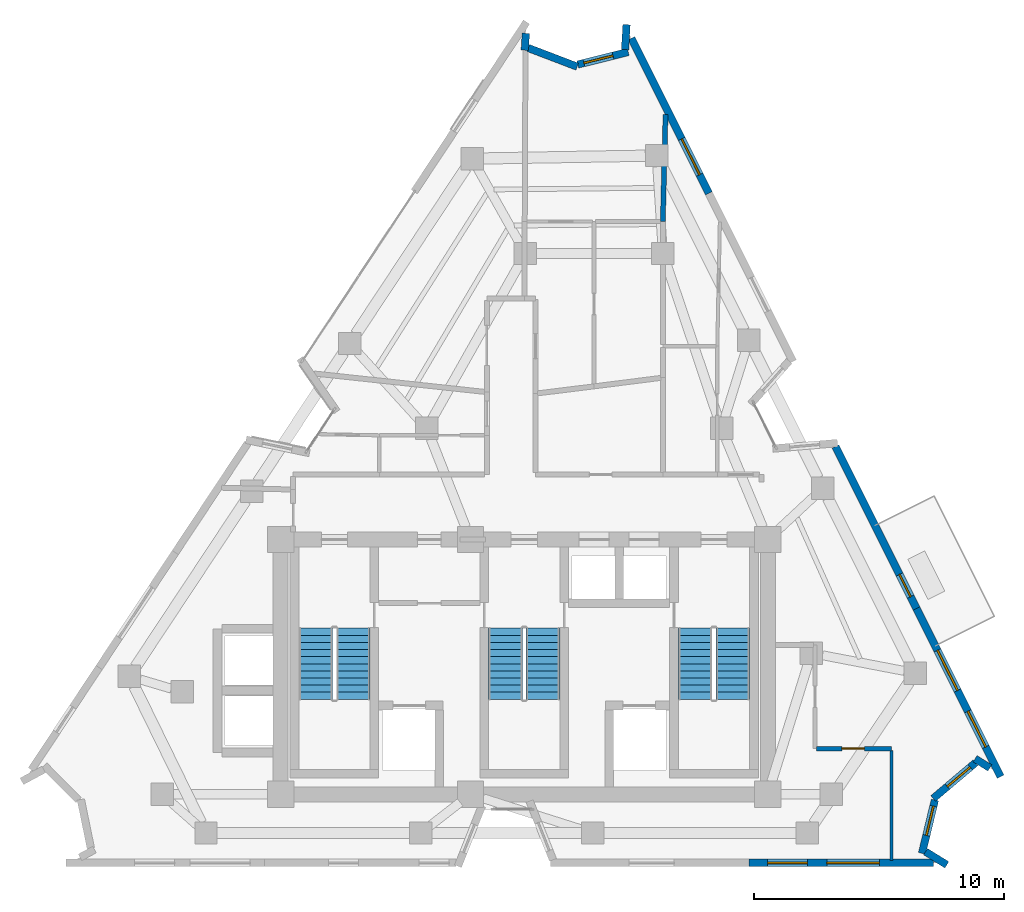
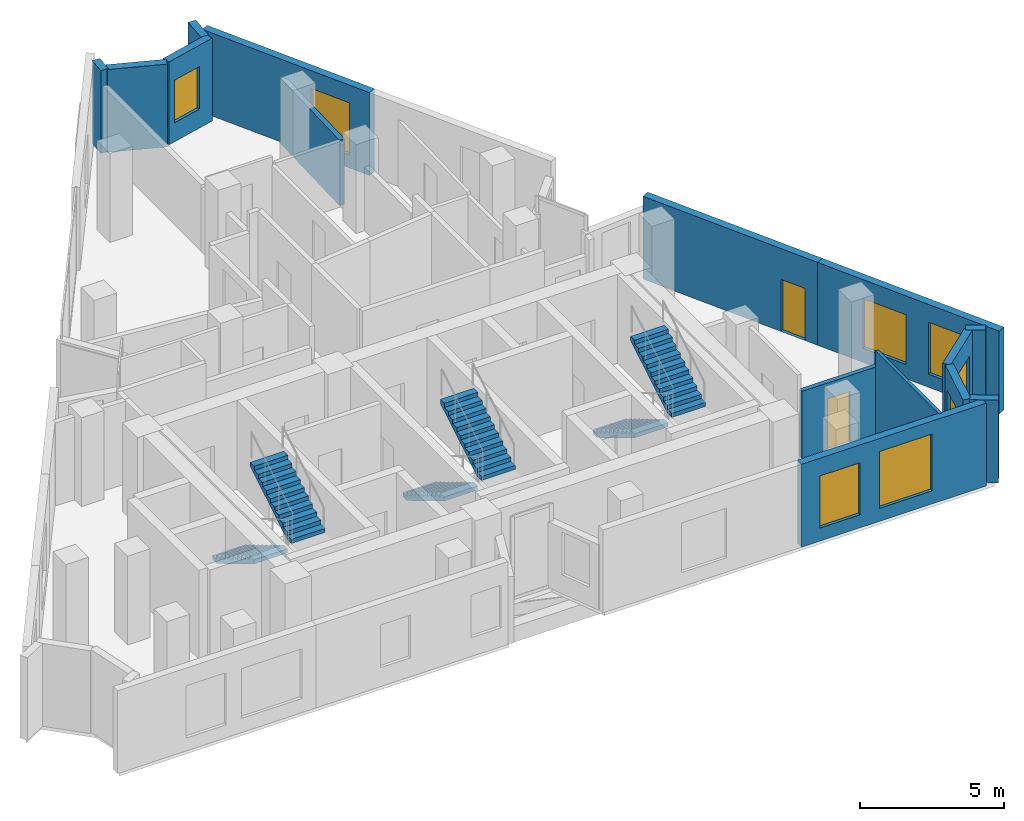
# One storey, part 7 of 9: 15 walls, 8 windows, 6 stair flights, 2 doors, 10 openings, 3 elements without a shape of their own.
"""IFC4 building model written with IfcOpenShell, lengths in metres."""

from ifc_helpers import new_model, si_unit, direction, frame, frame_2d, origin, place, context, subcontext, project, spatial, polyline, rectangle, outline, extrude, material, layer, layer_set, type_object, element, fill, aggregate, save


model = new_model("IFC4")

# Units and contexts
model_context = context("Model", 3, precision=1e-05, world=origin(), true_north=direction((0.0, 1.0)))
body_context = subcontext(model_context, "Body", "Model", "MODEL_VIEW")
ifc_project = project(units=[si_unit("LENGTHUNIT", "METRE"), si_unit("AREAUNIT", "SQUARE_METRE"), si_unit("VOLUMEUNIT", "CUBIC_METRE"), si_unit("PLANEANGLEUNIT", "RADIAN"), si_unit("MASSUNIT", "GRAM", prefix="KILO")], contexts=[model_context])

# Site, building, storey
site_placement = place(None, origin())
site = spatial("IfcSite", under=ifc_project, at=site_placement, CompositionType="ELEMENT")
building_placement = place(site_placement, origin())
building = spatial("IfcBuilding", under=site, at=building_placement, Name="Almagre Mirador Tower", CompositionType="ELEMENT")
storey_placement = place(building_placement, frame((0.0, 0.0, 259.5)))
storey = spatial("IfcBuildingStorey", under=building, at=storey_placement, Name="L67", CompositionType="ELEMENT", Elevation=259.5)

# Walls
ifc_material_1 = material(Name="Precast concrete C50/60", Category="concrete")
ifc_layer_1 = layer(ifc_material_1, 0.300048828125)
ifc_layer_set_1 = layer_set([ifc_layer_1], Name="Precast concrete C50/60")
wall_type_1 = type_object("IfcWallType", Name="WAL-EXT-300", PredefinedType="SOLIDWALL", material=ifc_layer_set_1)
wall_1_placement = place(storey_placement, frame((37.36474609375, 35.015869140625, 0.0), z_axis=(0.0, 0.0, 1.0), x_axis=(-0.060701101821, -0.998155987929, 0.0)))
element("IfcWall", 1, at=wall_1_placement, inside=storey, type_object=wall_type_1, Name="L67 expressed almagre precast frame wall 04", PredefinedType="SOLIDWALL", context=body_context, shape_type="SweptSolid", body=[
    extrude(rectangle(XDim=0.6796875, YDim=0.300048828125, at=frame_2d((0.33984375, 0.0))), origin(), (0.0, 0.0, 1.0), 3.5),
])
wall_2_placement = place(storey_placement, frame((37.45361328125, 34.4306640625, 0.0), z_axis=(0.0, 0.0, 1.0), x_axis=(0.934285742141, -0.356525107155, 0.0)))
element("IfcWall", 2, at=wall_2_placement, inside=storey, type_object=wall_type_1, Name="L67 expressed almagre precast frame wall 05", PredefinedType="SOLIDWALL", context=body_context, shape_type="SweptSolid", body=[
    extrude(rectangle(XDim=2.107666015625, YDim=0.300048828125, at=frame_2d((1.0537109375, 0.0))), origin(), (0.0, 0.0, 1.0), 3.5),
])

# Wall, opening, window
wall_3_placement = place(storey_placement, frame((39.4423828125, 33.766357421875, 0.0), z_axis=(0.0, 0.0, 1.0), x_axis=(0.970636719037, 0.240550118805, 0.0)))
wall_3 = element("IfcWall", 3, at=wall_3_placement, inside=storey, type_object=wall_type_1, Name="L67 expressed almagre precast frame wall 06", PredefinedType="SOLIDWALL", context=body_context, shape_type="SweptSolid", body=[
    extrude(rectangle(XDim=2.083740234375, YDim=0.300048828125, at=frame_2d((1.0419921875, 0.0))), origin(), (0.0, 0.0, 1.0), 3.5),
])
opening_1_placement = place(wall_3_placement, frame((0.2548828125, 0.0, 0.800048828125)))
opening_1 = element("IfcOpeningElement", 4, at=opening_1_placement, cuts=wall_3, Name="Opening WN-04", PredefinedType="OPENING", context=body_context, shape_type="SweptSolid", body=[
    extrude(rectangle(XDim=1.199951171875, YDim=1.800048828125, at=frame_2d((0.60009765625, 0.89990234375))), frame((0.0, 0.159902, 0.0), z_axis=(0.0, -1.0, 0.0), x_axis=(1.0, 0.0, 0.0)), (0.0, 0.0, 1.0), 0.320049),
])
ifc_material_2 = material(Name="Dark solar-control laminated hurricane glass", Category="glass")
window_type_1 = type_object("IfcWindowType", Name="WIN-1200X1800", PartitioningType="SINGLE_PANEL", PredefinedType="WINDOW", material=ifc_material_2)
window_1_placement = place(opening_1_placement, origin())
window_1 = element("IfcWindow", 5, at=window_1_placement, inside=storey, type_object=window_type_1, Name="L67 recessed hurricane window L67-UK-KT", OverallHeight=1.800048828125, OverallWidth=1.199951171875, PartitioningType="SINGLE_PANEL", PredefinedType="WINDOW", context=body_context, shape_type="SweptSolid", body=[
    extrude(rectangle(XDim=1.199951171875, YDim=1.800048828125, at=frame_2d((0.60009765625, 0.89990234375))), frame((0.0, 0.030029296875, 0.0), z_axis=(0.0, -1.0, 0.0), x_axis=(1.0, 0.0, 0.0)), (0.0, 0.0, 1.0), 0.06005859375),
])
fill(opening_1, window_1)

# Wall
wall_4_placement = place(storey_placement, frame((41.3369140625, 34.36376953125, 0.0), z_axis=(0.0, 0.0, 1.0), x_axis=(0.060554036278, 0.998164920587, 0.0)))
element("IfcWall", 6, at=wall_4_placement, inside=storey, type_object=wall_type_1, Name="L67 expressed almagre precast frame wall 07", PredefinedType="SOLIDWALL", context=body_context, shape_type="SweptSolid", body=[
    extrude(rectangle(XDim=1.0, YDim=0.300048828125, at=frame_2d((0.5, 0.0))), origin(), (0.0, 0.0, 1.0), 3.5),
])

# Wall, opening, window
wall_5_placement = place(storey_placement, frame((41.592529296875, 34.81494140625, 0.0), z_axis=(0.0, 0.0, 1.0), x_axis=(0.447199517072, -0.894434230076, 0.0)))
wall_5 = element("IfcWall", 7, at=wall_5_placement, inside=storey, type_object=wall_type_1, Name="L67 expressed almagre precast frame wall 08", PredefinedType="SOLIDWALL", context=body_context, shape_type="SweptSolid", body=[
    extrude(rectangle(XDim=6.9365234375, YDim=0.300048828125, at=frame_2d((3.46826171875, 0.0))), origin(), (0.0, 0.0, 1.0), 3.5),
])
opening_2_placement = place(wall_5_placement, frame((4.5048828125, 0.0, 0.550048828125)))
opening_2 = element("IfcOpeningElement", 8, at=opening_2_placement, cuts=wall_5, Name="Opening WN-06", PredefinedType="OPENING", context=body_context, shape_type="SweptSolid", body=[
    extrude(rectangle(XDim=1.60009765625, YDim=2.199951171875, at=frame_2d((0.800048828125, 1.10009765625))), frame((0.0, 0.159902, 0.0), z_axis=(0.0, -1.0, 0.0), x_axis=(1.0, 0.0, 0.0)), (0.0, 0.0, 1.0), 0.320049),
])
ifc_material_3 = material(Name="Dark solar-control laminated hurricane glass", Category="glass")
window_type_2 = type_object("IfcWindowType", Name="WIN-1600X2200", PartitioningType="DOUBLE_PANEL_VERTICAL", PredefinedType="WINDOW", material=ifc_material_3)
window_2_placement = place(opening_2_placement, origin())
window_2 = element("IfcWindow", 9, at=window_2_placement, inside=storey, type_object=window_type_2, Name="L67 recessed hurricane window L67-UJ-KT", OverallHeight=2.199951171875, OverallWidth=1.60009765625, PartitioningType="SINGLE_PANEL", PredefinedType="WINDOW", context=body_context, shape_type="SweptSolid", body=[
    extrude(rectangle(XDim=1.60009765625, YDim=2.199951171875, at=frame_2d((0.800048828125, 1.10009765625))), frame((0.0, 0.030029296875, 0.0), z_axis=(0.0, -1.0, 0.0), x_axis=(1.0, 0.0, 0.0)), (0.0, 0.0, 1.0), 0.06005859375),
])
fill(opening_2, window_2)

# Wall, opening, door
wall_6_placement = place(storey_placement, frame((49.7626953125, 18.475830078125, 0.0), z_axis=(0.0, 0.0, 1.0), x_axis=(0.447186662426, -0.89444065703, 0.0)))
wall_6 = element("IfcWall", 10, at=wall_6_placement, inside=storey, type_object=wall_type_1, Name="L67 expressed almagre precast frame wall 12", PredefinedType="SOLIDWALL", context=body_context, shape_type="SweptSolid", body=[
    extrude(rectangle(XDim=7.251708984375, YDim=0.300048828125, at=frame_2d((3.6259765625, 0.0))), origin(), (0.0, 0.0, 1.0), 3.5),
])
opening_3_placement = place(wall_6_placement, frame((5.727294921875, 0.0, 0.0)))
opening_3 = element("IfcOpeningElement", 11, at=opening_3_placement, cuts=wall_6, Name="Opening BD-01", PredefinedType="OPENING", context=body_context, shape_type="SweptSolid", body=[
    extrude(rectangle(XDim=1.0, YDim=2.199951171875, at=frame_2d((0.5, 1.10009765625))), frame((0.0, 0.159902, 0.0), z_axis=(0.0, -1.0, 0.0), x_axis=(1.0, 0.0, 0.0)), (0.0, 0.0, 1.0), 0.320049),
])
ifc_material_4 = material(Name="Black anodized aluminium and laminated glass", Category="aluminium")
door_type_1 = type_object("IfcDoorType", Name="DOR-BAL-1000X2200", OperationType="NOTDEFINED", PredefinedType="DOOR", material=ifc_material_4)
door_1_placement = place(opening_3_placement, origin())
door_1 = element("IfcDoor", 12, at=door_1_placement, inside=storey, type_object=door_type_1, Name="DR-2043 L67 east balcony glazed door 1", OperationType="SINGLE_SWING_RIGHT", OverallHeight=2.199951171875, OverallWidth=1.0, PredefinedType="DOOR", context=body_context, shape_type="SweptSolid", body=[
    extrude(rectangle(XDim=1.0, YDim=2.199951171875, at=frame_2d((0.5, 1.10009765625))), frame((0.0, 0.02490234375, 0.0), z_axis=(0.0, -1.0, 0.0), x_axis=(1.0, 0.0, 0.0)), (0.0, 0.0, 1.0), 0.050048828125),
])
fill(opening_3, door_1)

# Wall, openings, windows
wall_7_placement = place(storey_placement, frame((53.005615234375, 11.989501953125, 0.0), z_axis=(0.0, 0.0, 1.0), x_axis=(0.447161731119, -0.894453121311, 0.0)))
wall_7 = element("IfcWall", 13, at=wall_7_placement, inside=storey, type_object=wall_type_1, Name="L67 expressed almagre precast frame wall 13", PredefinedType="SOLIDWALL", context=body_context, shape_type="SweptSolid", body=[
    extrude(rectangle(XDim=7.53173828125, YDim=0.300048828125, at=frame_2d((3.765869140625, 0.0))), origin(), (0.0, 0.0, 1.0), 3.5),
])
opening_4_placement = place(wall_7_placement, frame((1.875, 0.0, 0.60009765625)))
opening_4 = element("IfcOpeningElement", 14, at=opening_4_placement, cuts=wall_7, Name="Opening WN-01", PredefinedType="OPENING", context=body_context, shape_type="SweptSolid", body=[
    extrude(rectangle(XDim=1.800048828125, YDim=2.10009765625, at=frame_2d((0.89990234375, 1.050048828125))), frame((0.0, 0.159902, 0.0), z_axis=(0.0, -1.0, 0.0), x_axis=(1.0, 0.0, 0.0)), (0.0, 0.0, 1.0), 0.320049),
])
opening_5_placement = place(wall_7_placement, frame((4.60009765625, 0.0, 0.550048828125)))
opening_5 = element("IfcOpeningElement", 15, at=opening_5_placement, cuts=wall_7, Name="Opening WN-06", PredefinedType="OPENING", context=body_context, shape_type="SweptSolid", body=[
    extrude(rectangle(XDim=1.60009765625, YDim=2.199951171875, at=frame_2d((0.800048828125, 1.10009765625))), frame((0.0, 0.159902, 0.0), z_axis=(0.0, -1.0, 0.0), x_axis=(1.0, 0.0, 0.0)), (0.0, 0.0, 1.0), 0.320049),
])
window_3_placement = place(opening_5_placement, origin())
window_3 = element("IfcWindow", 16, at=window_3_placement, inside=storey, type_object=window_type_2, Name="L67 recessed hurricane window L67-UC-KT", OverallHeight=2.199951171875, OverallWidth=1.60009765625, PartitioningType="SINGLE_PANEL", PredefinedType="WINDOW", context=body_context, shape_type="SweptSolid", body=[
    extrude(rectangle(XDim=1.60009765625, YDim=2.199951171875, at=frame_2d((0.800048828125, 1.10009765625))), frame((0.0, 0.030029296875, 0.0), z_axis=(0.0, -1.0, 0.0), x_axis=(1.0, 0.0, 0.0)), (0.0, 0.0, 1.0), 0.06005859375),
])
fill(opening_5, window_3)
ifc_material_5 = material(Name="Dark solar-control laminated hurricane glass", Category="glass")
window_type_3 = type_object("IfcWindowType", Name="WIN-1800X2100", PartitioningType="DOUBLE_PANEL_VERTICAL", PredefinedType="WINDOW", material=ifc_material_5)
window_4_placement = place(opening_4_placement, origin())
window_4 = element("IfcWindow", 17, at=window_4_placement, inside=storey, type_object=window_type_3, Name="L67 recessed hurricane window L67-UC-LV", OverallHeight=2.10009765625, OverallWidth=1.800048828125, PartitioningType="SINGLE_PANEL", PredefinedType="WINDOW", context=body_context, shape_type="SweptSolid", body=[
    extrude(rectangle(XDim=1.800048828125, YDim=2.10009765625, at=frame_2d((0.89990234375, 1.050048828125))), frame((0.0, 0.030029296875, 0.0), z_axis=(0.0, -1.0, 0.0), x_axis=(1.0, 0.0, 0.0)), (0.0, 0.0, 1.0), 0.06005859375),
])
fill(opening_4, window_4)

# Wall
wall_8_placement = place(storey_placement, frame((55.94091796875, 5.606689453125, 0.0), z_axis=(0.0, 0.0, 1.0), x_axis=(-0.850848828595, 0.525410573626, 0.0)))
element("IfcWall", 18, at=wall_8_placement, inside=storey, type_object=wall_type_1, Name="L67 expressed almagre precast frame wall 14", PredefinedType="SOLIDWALL", context=body_context, shape_type="SweptSolid", body=[
    extrude(rectangle(XDim=0.694580078125, YDim=0.300048828125, at=frame_2d((0.34716796875, 0.0))), origin(), (0.0, 0.0, 1.0), 3.5),
])

# Wall, opening, window
wall_9_placement = place(storey_placement, frame((55.365966796875, 5.810791015625, 0.0), z_axis=(0.0, 0.0, 1.0), x_axis=(-0.764070930708, -0.645132244464, 0.0)))
wall_9 = element("IfcWall", 19, at=wall_9_placement, inside=storey, type_object=wall_type_1, Name="L67 expressed almagre precast frame wall 15", PredefinedType="SOLIDWALL", context=body_context, shape_type="SweptSolid", body=[
    extrude(rectangle(XDim=2.216796875, YDim=0.300048828125, at=frame_2d((1.1083984375, 0.0))), origin(), (0.0, 0.0, 1.0), 3.5),
])
opening_6_placement = place(wall_9_placement, frame((0.27490234375, 0.0, 0.800048828125)))
opening_6 = element("IfcOpeningElement", 20, at=opening_6_placement, cuts=wall_9, Name="Opening WN-04", PredefinedType="OPENING", context=body_context, shape_type="SweptSolid", body=[
    extrude(rectangle(XDim=1.199951171875, YDim=1.800048828125, at=frame_2d((0.60009765625, 0.89990234375))), frame((0.0, 0.159902, 0.0), z_axis=(0.0, -1.0, 0.0), x_axis=(1.0, 0.0, 0.0)), (0.0, 0.0, 1.0), 0.320049),
])
window_5_placement = place(opening_6_placement, origin())
window_5 = element("IfcWindow", 21, at=window_5_placement, inside=storey, type_object=window_type_1, Name="L67 recessed hurricane window L67-UC-KT", OverallHeight=1.800048828125, OverallWidth=1.199951171875, PartitioningType="SINGLE_PANEL", PredefinedType="WINDOW", context=body_context, shape_type="SweptSolid", body=[
    extrude(rectangle(XDim=1.199951171875, YDim=1.800048828125, at=frame_2d((0.60009765625, 0.89990234375))), frame((0.0, 0.030029296875, 0.0), z_axis=(0.0, -1.0, 0.0), x_axis=(1.0, 0.0, 0.0)), (0.0, 0.0, 1.0), 0.06005859375),
])
fill(opening_6, window_5)

wall_10_placement = place(storey_placement, frame((53.742431640625, 4.3203125, 0.0), z_axis=(0.0, 0.0, 1.0), x_axis=(-0.235342539944, -0.971912490347, 0.0)))
wall_10 = element("IfcWall", 22, at=wall_10_placement, inside=storey, type_object=wall_type_1, Name="L67 expressed almagre precast frame wall 16", PredefinedType="SOLIDWALL", context=body_context, shape_type="SweptSolid", body=[
    extrude(rectangle(XDim=2.1982421875, YDim=0.300048828125, at=frame_2d((1.09912109375, 0.0))), origin(), (0.0, 0.0, 1.0), 3.5),
])
opening_7_placement = place(wall_10_placement, frame((0.2548828125, 0.0, 0.800048828125)))
opening_7 = element("IfcOpeningElement", 23, at=opening_7_placement, cuts=wall_10, Name="Opening WN-04", PredefinedType="OPENING", context=body_context, shape_type="SweptSolid", body=[
    extrude(rectangle(XDim=1.199951171875, YDim=1.800048828125, at=frame_2d((0.60009765625, 0.89990234375))), frame((0.0, 0.159902, 0.0), z_axis=(0.0, -1.0, 0.0), x_axis=(1.0, 0.0, 0.0)), (0.0, 0.0, 1.0), 0.320049),
])
window_6_placement = place(opening_7_placement, origin())
window_6 = element("IfcWindow", 24, at=window_6_placement, inside=storey, type_object=window_type_1, Name="L67 recessed hurricane window L67-UC-KT", OverallHeight=1.800048828125, OverallWidth=1.199951171875, PartitioningType="SINGLE_PANEL", PredefinedType="WINDOW", context=body_context, shape_type="SweptSolid", body=[
    extrude(rectangle(XDim=1.199951171875, YDim=1.800048828125, at=frame_2d((0.60009765625, 0.89990234375))), frame((0.0, 0.030029296875, 0.0), z_axis=(0.0, -1.0, 0.0), x_axis=(1.0, 0.0, 0.0)), (0.0, 0.0, 1.0), 0.06005859375),
])
fill(opening_7, window_6)

# Wall
wall_11_placement = place(storey_placement, frame((53.36865234375, 2.251708984375, 0.0), z_axis=(0.0, 0.0, 1.0), x_axis=(0.85071769282, -0.52562287538, 0.0)))
element("IfcWall", 25, at=wall_11_placement, inside=storey, type_object=wall_type_1, Name="L67 expressed almagre precast frame wall 17", PredefinedType="SOLIDWALL", context=body_context, shape_type="SweptSolid", body=[
    extrude(rectangle(XDim=0.99951171875, YDim=0.300048828125, at=frame_2d((0.499755859375, 0.0))), origin(), (0.0, 0.0, 1.0), 3.5),
])

# Wall, openings, windows
wall_12_placement = place(storey_placement, frame((53.679931640625, 1.800048828125, 0.0), z_axis=(0.0, 0.0, 1.0), x_axis=(-1.0, 0.0, 0.0)))
wall_12 = element("IfcWall", 26, at=wall_12_placement, inside=storey, type_object=wall_type_1, Name="L67 expressed almagre precast frame wall 18", PredefinedType="SOLIDWALL", context=body_context, shape_type="SweptSolid", body=[
    extrude(rectangle(XDim=7.3798828125, YDim=0.300048828125, at=frame_2d((3.68994140625, 0.0))), origin(), (0.0, 0.0, 1.0), 3.5),
])
opening_8_placement = place(wall_12_placement, frame((2.1650390625, 0.0, 0.550048828125)))
opening_8 = element("IfcOpeningElement", 27, at=opening_8_placement, cuts=wall_12, Name="Opening WN-05", PredefinedType="OPENING", context=body_context, shape_type="SweptSolid", body=[
    extrude(rectangle(XDim=2.10009765625, YDim=2.39990234375, at=frame_2d((1.050048828125, 1.199951171875))), frame((0.0, 0.159902, 0.0), z_axis=(0.0, -1.0, 0.0), x_axis=(1.0, 0.0, 0.0)), (0.0, 0.0, 1.0), 0.320049),
])
opening_9_placement = place(wall_12_placement, frame((5.0400390625, 0.0, 0.550048828125)))
opening_9 = element("IfcOpeningElement", 28, at=opening_9_placement, cuts=wall_12, Name="Opening WN-06", PredefinedType="OPENING", context=body_context, shape_type="SweptSolid", body=[
    extrude(rectangle(XDim=1.60009765625, YDim=2.199951171875, at=frame_2d((0.800048828125, 1.10009765625))), frame((0.0, 0.159902, 0.0), z_axis=(0.0, -1.0, 0.0), x_axis=(1.0, 0.0, 0.0)), (0.0, 0.0, 1.0), 0.320049),
])
window_7_placement = place(opening_9_placement, origin())
window_7 = element("IfcWindow", 29, at=window_7_placement, inside=storey, type_object=window_type_2, Name="L67 recessed hurricane window L67-UC-EN", OverallHeight=2.199951171875, OverallWidth=1.60009765625, PartitioningType="SINGLE_PANEL", PredefinedType="WINDOW", context=body_context, shape_type="SweptSolid", body=[
    extrude(rectangle(XDim=1.60009765625, YDim=2.199951171875, at=frame_2d((0.800048828125, 1.10009765625))), frame((0.0, 0.030029296875, 0.0), z_axis=(0.0, -1.0, 0.0), x_axis=(1.0, 0.0, 0.0)), (0.0, 0.0, 1.0), 0.06005859375),
])
fill(opening_9, window_7)
ifc_material_6 = material(Name="Dark solar-control laminated hurricane glass", Category="glass")
window_type_4 = type_object("IfcWindowType", Name="WIN-2100X2400", PartitioningType="DOUBLE_PANEL_VERTICAL", PredefinedType="WINDOW", material=ifc_material_6)
window_8_placement = place(opening_8_placement, origin())
window_8 = element("IfcWindow", 30, at=window_8_placement, inside=storey, type_object=window_type_4, Name="L67 recessed hurricane window L67-UC-MB", OverallHeight=2.39990234375, OverallWidth=2.10009765625, PartitioningType="SINGLE_PANEL", PredefinedType="WINDOW", context=body_context, shape_type="SweptSolid", body=[
    extrude(rectangle(XDim=2.10009765625, YDim=2.39990234375, at=frame_2d((1.050048828125, 1.199951171875))), frame((0.0, 0.030029296875, 0.0), z_axis=(0.0, -1.0, 0.0), x_axis=(1.0, 0.0, 0.0)), (0.0, 0.0, 1.0), 0.06005859375),
])
fill(opening_8, window_8)

# Wall
ifc_material_7 = material(Name="Gypsum acoustic stud partition", Category="other")
ifc_layer_2 = layer(ifc_material_7, 0.125)
ifc_layer_set_2 = layer_set([ifc_layer_2], Name="Gypsum acoustic stud partition")
wall_type_2 = type_object("IfcWallType", Name="WAL-PRT-125-UTL", PredefinedType="PARTITIONING", material=ifc_layer_set_2)
wall_13_placement = place(storey_placement, frame((52.0, 6.3076171875, 0.0), z_axis=(0.0, 0.0, 1.0), x_axis=(0.0, -1.0, 0.0)))
element("IfcWall", 31, at=wall_13_placement, inside=storey, type_object=wall_type_2, Name="L67 interior partition 035", PredefinedType="PARTITIONING", context=body_context, shape_type="SweptSolid", body=[
    extrude(rectangle(XDim=4.40771484375, YDim=0.125, at=frame_2d((2.203857421875, 0.0))), origin(), (0.0, 0.0, 1.0), 3.5),
])

# Wall, opening, door
ifc_material_8 = material(Name="Gypsum acoustic stud partition", Category="other")
ifc_layer_3 = layer(ifc_material_8, 0.175048828125)
ifc_layer_set_3 = layer_set([ifc_layer_3], Name="Gypsum acoustic stud partition")
wall_type_3 = type_object("IfcWallType", Name="WAL-PRT-175-AC", PredefinedType="PARTITIONING", material=ifc_layer_set_3)
wall_14_placement = place(storey_placement, frame((49.0, 6.3798828125, 0.0), z_axis=(0.0, 0.0, 1.0), x_axis=(1.0, 0.0, 0.0)))
wall_14 = element("IfcWall", 32, at=wall_14_placement, inside=storey, type_object=wall_type_3, Name="L67 interior partition 030", PredefinedType="PARTITIONING", context=body_context, shape_type="SweptSolid", body=[
    extrude(rectangle(XDim=3.0, YDim=0.175048828125, at=frame_2d((1.5, 0.0))), origin(), (0.0, 0.0, 1.0), 2.820068359375),
])
opening_10_placement = place(wall_14_placement, frame((1.02001953125, 0.0, 0.0)))
opening_10 = element("IfcOpeningElement", 33, at=opening_10_placement, cuts=wall_14, Name="Opening UD-02", PredefinedType="OPENING", context=body_context, shape_type="SweptSolid", body=[
    extrude(rectangle(XDim=0.89990234375, YDim=2.14990234375, at=frame_2d((0.449951171875, 1.074951171875))), frame((0.0, 0.097402, 0.0), z_axis=(0.0, -1.0, 0.0), x_axis=(1.0, 0.0, 0.0)), (0.0, 0.0, 1.0), 0.195049),
])
ifc_material_9 = material(Name="Solid American walnut timber", Category="wood")
door_type_2 = type_object("IfcDoorType", Name="DOR-UNR-900X2150", OperationType="NOTDEFINED", PredefinedType="DOOR", material=ifc_material_9)
door_2_placement = place(opening_10_placement, origin())
door_2 = element("IfcDoor", 34, at=door_2_placement, inside=storey, type_object=door_type_2, Name="DR-2054 L67 interior door L67-UC-LV to L67-UC-MB", OperationType="SINGLE_SWING_LEFT", OverallHeight=2.14990234375, OverallWidth=0.89990234375, PredefinedType="DOOR", context=body_context, shape_type="SweptSolid", body=[
    extrude(rectangle(XDim=0.89990234375, YDim=2.14990234375, at=frame_2d((0.449951171875, 1.074951171875))), frame((0.0, 0.02490234375, 0.0), z_axis=(0.0, -1.0, 0.0), x_axis=(1.0, 0.0, 0.0)), (0.0, 0.0, 1.0), 0.050048828125),
])
fill(opening_10, door_2)

# Wall
ifc_material_10 = material(Name="Gypsum acoustic stud partition", Category="other")
ifc_layer_4 = layer(ifc_material_10, 0.199951171875)
ifc_layer_set_4 = layer_set([ifc_layer_4], Name="Gypsum acoustic stud partition")
wall_type_4 = type_object("IfcWallType", Name="WAL-PRT-200-EI60", PredefinedType="PARTITIONING", material=ifc_layer_set_4)
wall_15_placement = place(storey_placement, frame((42.95703125, 31.761962890625, 0.0), z_axis=(0.0, 0.0, 1.0), x_axis=(-0.024965134001, -0.999688322471, 0.0)))
element("IfcWall", 35, at=wall_15_placement, inside=storey, type_object=wall_type_4, Name="L67 interior partition 054", PredefinedType="PARTITIONING", context=body_context, shape_type="SweptSolid", body=[
    extrude(rectangle(XDim=4.283203125, YDim=0.199951171875, at=frame_2d((2.1416015625, 0.0))), origin(), (0.0, 0.0, 1.0), 2.763916015625),
])

# Stair, stair flights
ifc_material_11 = material(Name="Concrete C45/55", Category="concrete")
stair_type = type_object("IfcStairType", Name="STR-DL-3750", PredefinedType="HALF_TURN_STAIR", material=ifc_material_11)
stair_1_placement = place(storey_placement, origin())
stair_1 = element("IfcStair", 36, at=stair_1_placement, inside=storey, type_object=stair_type, Name="L67 Protected exit stair ST-1", PredefinedType="HALF_TURN_STAIR")
ifc_material_12 = material(Name="Concrete C45/55", Category="concrete")
stair_flight_type = type_object("IfcStairFlightType", Name="FLT-DL-3750", PredefinedType="STRAIGHT", material=ifc_material_12)
stair_flight_1_placement = place(storey_placement, frame((28.949951171875, 11.199951171875, 0.0), z_axis=(0.0, 0.0, 1.0), x_axis=(0.0, -1.0, 0.0)))
stair_flight_1 = element("IfcStairFlight", 37, at=stair_flight_1_placement, type_object=stair_flight_type, Name="ST-1 flight 1", NumberOfRisers=11, NumberOfTreads=10, PredefinedType="STRAIGHT", RiserHeight=0.170454545, TreadLength=0.285, context=body_context, shape_type="SweptSolid", body=[
    extrude(outline(polyline([(0.0, 0.0), (0.0, 0.17041015625), (0.284912109375, 0.17041015625), (0.284912109375, 0.3408203125), (0.570068359375, 0.3408203125), (0.570068359375, 0.511474609375), (0.85498046875, 0.511474609375), (0.85498046875, 0.681884765625), (1.139892578125, 0.681884765625), (1.139892578125, 0.852294921875), (1.425048828125, 0.852294921875), (1.425048828125, 1.022705078125), (1.7099609375, 1.022705078125), (1.7099609375, 1.193115234375), (1.9951171875, 1.193115234375), (1.9951171875, 1.363525390625), (2.280029296875, 1.363525390625), (2.280029296875, 1.5341796875), (2.56494140625, 1.5341796875), (2.56494140625, 1.70458984375), (2.85009765625, 1.70458984375), (2.85009765625, 1.875), (2.85009765625, 1.52978515625), (0.2919921875, 0.0), (0.0, 0.0)])), frame((0.0, 0.675048828125, 0.0), z_axis=(0.0, -1.0, 0.0), x_axis=(1.0, 0.0, 0.0)), (0.0, 0.0, 1.0), 1.35009765625),
])
stair_flight_2_placement = place(storey_placement, frame((30.449951171875, 8.35009765625, 1.875), z_axis=(0.0, 0.0, 1.0), x_axis=(0.0, 1.0, 0.0)))
stair_flight_2 = element("IfcStairFlight", 38, at=stair_flight_2_placement, type_object=stair_flight_type, Name="ST-1 flight 2", NumberOfRisers=11, NumberOfTreads=10, PredefinedType="STRAIGHT", RiserHeight=0.170454545, TreadLength=0.285, context=body_context, shape_type="SweptSolid", body=[
    extrude(outline(polyline([(0.0, 0.0), (0.0, 0.17041015625), (0.284912109375, 0.17041015625), (0.284912109375, 0.3408203125), (0.570068359375, 0.3408203125), (0.570068359375, 0.511474609375), (0.85498046875, 0.511474609375), (0.85498046875, 0.681884765625), (1.139892578125, 0.681884765625), (1.139892578125, 0.852294921875), (1.425048828125, 0.852294921875), (1.425048828125, 1.022705078125), (1.7099609375, 1.022705078125), (1.7099609375, 1.193115234375), (1.9951171875, 1.193115234375), (1.9951171875, 1.363525390625), (2.280029296875, 1.363525390625), (2.280029296875, 1.5341796875), (2.56494140625, 1.5341796875), (2.56494140625, 1.70458984375), (2.85009765625, 1.70458984375), (2.85009765625, 1.875), (2.85009765625, 1.52978515625), (0.2919921875, 0.0), (0.0, 0.0)])), frame((0.0, 0.675048828125, 0.0), z_axis=(0.0, -1.0, 0.0), x_axis=(1.0, 0.0, 0.0)), (0.0, 0.0, 1.0), 1.35009765625),
])
aggregate(stair_1, [stair_flight_1, stair_flight_2])

stair_2_placement = place(storey_placement, origin())
stair_2 = element("IfcStair", 39, at=stair_2_placement, inside=storey, type_object=stair_type, Name="L67 Protected exit stair ST-2", PredefinedType="HALF_TURN_STAIR")
stair_flight_3_placement = place(storey_placement, frame((36.550048828125, 11.199951171875, 0.0), z_axis=(0.0, 0.0, 1.0), x_axis=(0.0, -1.0, 0.0)))
stair_flight_3 = element("IfcStairFlight", 40, at=stair_flight_3_placement, type_object=stair_flight_type, Name="ST-2 flight 1", NumberOfRisers=11, NumberOfTreads=10, PredefinedType="STRAIGHT", RiserHeight=0.170454545, TreadLength=0.285, context=body_context, shape_type="SweptSolid", body=[
    extrude(outline(polyline([(0.0, 0.0), (0.0, 0.17041015625), (0.284912109375, 0.17041015625), (0.284912109375, 0.3408203125), (0.570068359375, 0.3408203125), (0.570068359375, 0.511474609375), (0.85498046875, 0.511474609375), (0.85498046875, 0.681884765625), (1.139892578125, 0.681884765625), (1.139892578125, 0.852294921875), (1.425048828125, 0.852294921875), (1.425048828125, 1.022705078125), (1.7099609375, 1.022705078125), (1.7099609375, 1.193115234375), (1.9951171875, 1.193115234375), (1.9951171875, 1.363525390625), (2.280029296875, 1.363525390625), (2.280029296875, 1.5341796875), (2.56494140625, 1.5341796875), (2.56494140625, 1.70458984375), (2.85009765625, 1.70458984375), (2.85009765625, 1.875), (2.85009765625, 1.52978515625), (0.2919921875, 0.0), (0.0, 0.0)])), frame((0.0, 0.675048828125, 0.0), z_axis=(0.0, -1.0, 0.0), x_axis=(1.0, 0.0, 0.0)), (0.0, 0.0, 1.0), 1.35009765625),
])
stair_flight_4_placement = place(storey_placement, frame((38.050048828125, 8.35009765625, 1.875), z_axis=(0.0, 0.0, 1.0), x_axis=(0.0, 1.0, 0.0)))
stair_flight_4 = element("IfcStairFlight", 41, at=stair_flight_4_placement, type_object=stair_flight_type, Name="ST-2 flight 2", NumberOfRisers=11, NumberOfTreads=10, PredefinedType="STRAIGHT", RiserHeight=0.170454545, TreadLength=0.285, context=body_context, shape_type="SweptSolid", body=[
    extrude(outline(polyline([(0.0, 0.0), (0.0, 0.17041015625), (0.284912109375, 0.17041015625), (0.284912109375, 0.3408203125), (0.570068359375, 0.3408203125), (0.570068359375, 0.511474609375), (0.85498046875, 0.511474609375), (0.85498046875, 0.681884765625), (1.139892578125, 0.681884765625), (1.139892578125, 0.852294921875), (1.425048828125, 0.852294921875), (1.425048828125, 1.022705078125), (1.7099609375, 1.022705078125), (1.7099609375, 1.193115234375), (1.9951171875, 1.193115234375), (1.9951171875, 1.363525390625), (2.280029296875, 1.363525390625), (2.280029296875, 1.5341796875), (2.56494140625, 1.5341796875), (2.56494140625, 1.70458984375), (2.85009765625, 1.70458984375), (2.85009765625, 1.875), (2.85009765625, 1.52978515625), (0.2919921875, 0.0), (0.0, 0.0)])), frame((0.0, 0.675048828125, 0.0), z_axis=(0.0, -1.0, 0.0), x_axis=(1.0, 0.0, 0.0)), (0.0, 0.0, 1.0), 1.35009765625),
])
aggregate(stair_2, [stair_flight_3, stair_flight_4])

stair_3_placement = place(storey_placement, origin())
stair_3 = element("IfcStair", 42, at=stair_3_placement, inside=storey, type_object=stair_type, Name="L67 Protected exit stair ST-3", PredefinedType="HALF_TURN_STAIR")
stair_flight_5_placement = place(storey_placement, frame((44.14990234375, 11.199951171875, 0.0), z_axis=(0.0, 0.0, 1.0), x_axis=(0.0, -1.0, 0.0)))
stair_flight_5 = element("IfcStairFlight", 43, at=stair_flight_5_placement, type_object=stair_flight_type, Name="ST-3 flight 1", NumberOfRisers=11, NumberOfTreads=10, PredefinedType="STRAIGHT", RiserHeight=0.170454545, TreadLength=0.285, context=body_context, shape_type="SweptSolid", body=[
    extrude(outline(polyline([(0.0, 0.0), (0.0, 0.17041015625), (0.284912109375, 0.17041015625), (0.284912109375, 0.3408203125), (0.570068359375, 0.3408203125), (0.570068359375, 0.511474609375), (0.85498046875, 0.511474609375), (0.85498046875, 0.681884765625), (1.139892578125, 0.681884765625), (1.139892578125, 0.852294921875), (1.425048828125, 0.852294921875), (1.425048828125, 1.022705078125), (1.7099609375, 1.022705078125), (1.7099609375, 1.193115234375), (1.9951171875, 1.193115234375), (1.9951171875, 1.363525390625), (2.280029296875, 1.363525390625), (2.280029296875, 1.5341796875), (2.56494140625, 1.5341796875), (2.56494140625, 1.70458984375), (2.85009765625, 1.70458984375), (2.85009765625, 1.875), (2.85009765625, 1.52978515625), (0.2919921875, 0.0), (0.0, 0.0)])), frame((0.0, 0.675048828125, 0.0), z_axis=(0.0, -1.0, 0.0), x_axis=(1.0, 0.0, 0.0)), (0.0, 0.0, 1.0), 1.35009765625),
])
stair_flight_6_placement = place(storey_placement, frame((45.64990234375, 8.35009765625, 1.875), z_axis=(0.0, 0.0, 1.0), x_axis=(0.0, 1.0, 0.0)))
stair_flight_6 = element("IfcStairFlight", 44, at=stair_flight_6_placement, type_object=stair_flight_type, Name="ST-3 flight 2", NumberOfRisers=11, NumberOfTreads=10, PredefinedType="STRAIGHT", RiserHeight=0.170454545, TreadLength=0.285, context=body_context, shape_type="SweptSolid", body=[
    extrude(outline(polyline([(0.0, 0.0), (0.0, 0.17041015625), (0.284912109375, 0.17041015625), (0.284912109375, 0.3408203125), (0.570068359375, 0.3408203125), (0.570068359375, 0.511474609375), (0.85498046875, 0.511474609375), (0.85498046875, 0.681884765625), (1.139892578125, 0.681884765625), (1.139892578125, 0.852294921875), (1.425048828125, 0.852294921875), (1.425048828125, 1.022705078125), (1.7099609375, 1.022705078125), (1.7099609375, 1.193115234375), (1.9951171875, 1.193115234375), (1.9951171875, 1.363525390625), (2.280029296875, 1.363525390625), (2.280029296875, 1.5341796875), (2.56494140625, 1.5341796875), (2.56494140625, 1.70458984375), (2.85009765625, 1.70458984375), (2.85009765625, 1.875), (2.85009765625, 1.52978515625), (0.2919921875, 0.0), (0.0, 0.0)])), frame((0.0, 0.675048828125, 0.0), z_axis=(0.0, -1.0, 0.0), x_axis=(1.0, 0.0, 0.0)), (0.0, 0.0, 1.0), 1.35009765625),
])
aggregate(stair_3, [stair_flight_5, stair_flight_6])

save(model, "model.ifc")
